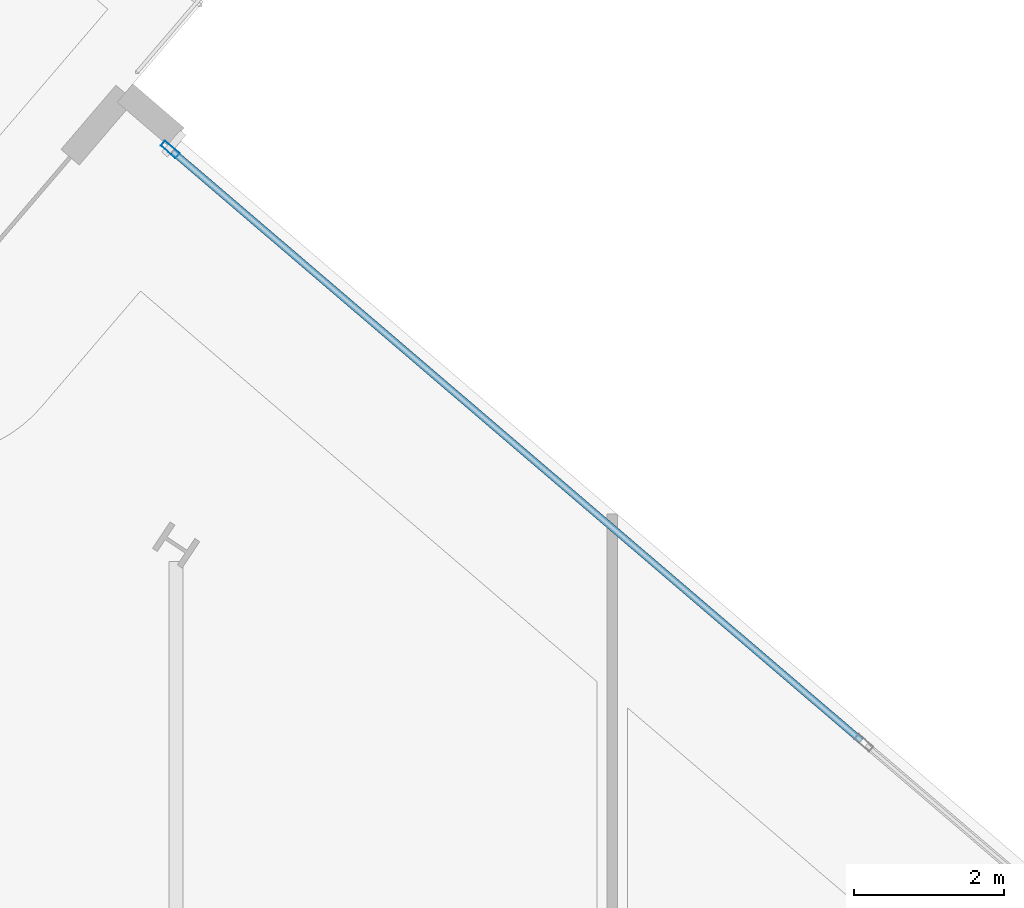
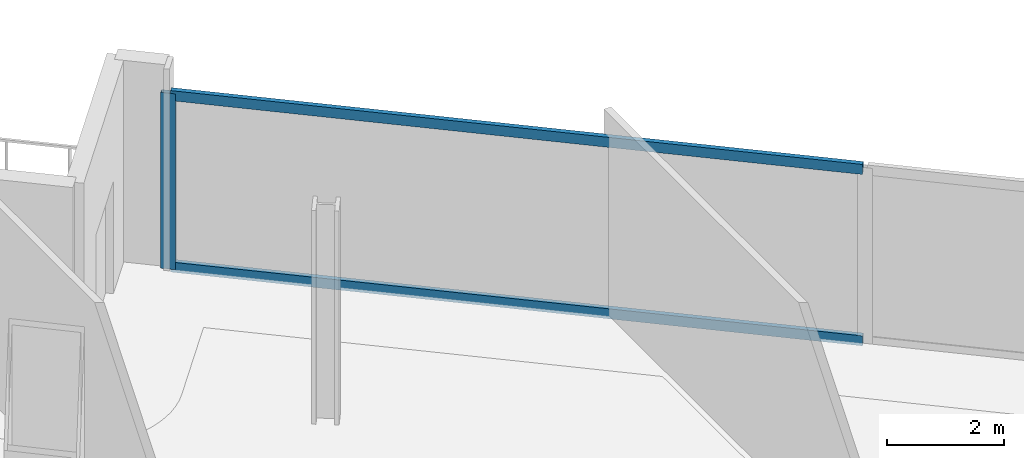
# One storey, part 16 of 26: 3 members, 1 element without a shape of its own.
"""IFC4 building model written with IfcOpenShell, lengths in metres."""

import ifcopenshell
import ifcopenshell.guid

model = None  # the IFC model being written
_history = None  # IfcOwnerHistory: only IFC2X3 demands one
_inside = {}  # id of a spatial element -> (the spatial element, [elements in it])
_under = {}  # id of a project, library or spatial element -> (it, [spatial elements below it])
_declared = {}  # id of a project -> (the project, [libraries it declares])
_typed = {}  # id of a type object -> (the type object, [elements of that type])
_made_of = {}  # id of a material, layer set ... -> (it, [elements and type objects made of it])


def new_model(schema):
    """Start an empty IFC model of exactly this schema.

    Asked for "IFC4X3", IfcOpenShell would pick the latest addendum, in which some entities
    have other attributes; the version numbers below select the first issue.
    IFC2X3 requires an IfcOwnerHistory on every rooted entity: one is made here for all.
    """
    global model, _history
    if schema == "IFC4X3":
        model = ifcopenshell.file(schema_version=(4, 3, 0, 0))
    else:
        model = ifcopenshell.file(schema=schema)
    _inside.clear()
    _under.clear()
    _declared.clear()
    _typed.clear()
    _made_of.clear()
    _history = None
    if model.schema == "IFC2X3":
        org = make("IfcOrganization", Name="unknown")
        user = make(
            "IfcPersonAndOrganization",
            ThePerson=make("IfcPerson", FamilyName="unknown"),
            TheOrganization=org,
        )
        app = make(
            "IfcApplication",
            ApplicationDeveloper=org,
            Version="unknown",
            ApplicationFullName="unknown",
            ApplicationIdentifier="unknown",
        )
        _history = make(
            "IfcOwnerHistory",
            OwningUser=user,
            OwningApplication=app,
            ChangeAction="ADDED",
            CreationDate=0,
        )
    return model


def make(cls, **values):
    """One entity of the class cls with the attributes given. An attribute that is None is left unset."""
    return model.create_entity(
        cls, **{name: value for name, value in values.items() if value is not None}
    )


def rooted(cls, **values):
    """An entity with a GlobalId (a new one), such as an element, a storey or a relation."""
    return make(cls, GlobalId=ifcopenshell.guid.new(), OwnerHistory=_history, **values)


def si_unit(unit_type, name, prefix=None):
    """IfcSIUnit, for example si_unit("LENGTHUNIT", "METRE", prefix="MILLI")."""
    return make("IfcSIUnit", UnitType=unit_type, Prefix=prefix, Name=name)


def assignment(units):
    """IfcUnitAssignment: the units of a project."""
    return None if units is None else make("IfcUnitAssignment", Units=units)


def point(xyz):
    """IfcCartesianPoint."""
    return None if xyz is None else make("IfcCartesianPoint", Coordinates=xyz)


def direction(xyz):
    """IfcDirection."""
    return None if xyz is None else make("IfcDirection", DirectionRatios=xyz)


def frame(location, z_axis=None, x_axis=None):
    """IfcAxis2Placement3D, a coordinate frame: its origin and axes. An axis left out is left unset."""
    return make(
        "IfcAxis2Placement3D",
        Location=point(location),
        Axis=direction(z_axis),
        RefDirection=direction(x_axis),
    )


def frame_2d(location, x_axis=None):
    """IfcAxis2Placement2D, a coordinate frame in the plane: its origin and x axis."""
    return make(
        "IfcAxis2Placement2D", Location=point(location), RefDirection=direction(x_axis)
    )


def origin():
    """The frame at (0, 0, 0) with its axes left unset."""
    return frame((0.0, 0.0, 0.0))


def origin_2d():
    """The frame at (0, 0) in the plane with its x axis left unset."""
    return frame_2d((0.0, 0.0))


def place(relative_to, where):
    """IfcLocalPlacement: puts the frame where relative to a parent placement (None: the world)."""
    return make(
        "IfcLocalPlacement", PlacementRelTo=relative_to, RelativePlacement=where
    )


def context(
    kind, dimensions, precision=None, world=None, true_north=None, identifier=None
):
    """IfcGeometricRepresentationContext, for example the 3D "Model" context."""
    return make(
        "IfcGeometricRepresentationContext",
        ContextIdentifier=identifier,
        ContextType=kind,
        CoordinateSpaceDimension=dimensions,
        Precision=precision,
        WorldCoordinateSystem=world,
        TrueNorth=true_north,
    )


def subcontext(parent, identifier, kind, view, scale=None):
    """IfcGeometricRepresentationSubContext, for example "Body" below "Model"."""
    return make(
        "IfcGeometricRepresentationSubContext",
        ContextIdentifier=identifier,
        ContextType=kind,
        ParentContext=parent,
        TargetScale=scale,
        TargetView=view,
    )


def project(units=None, contexts=None):
    """IfcProject with its units and contexts."""
    return rooted(
        "IfcProject",
        Name="project",
        RepresentationContexts=contexts,
        UnitsInContext=assignment(units),
    )


def spatial(cls, under=None, at=None, **own):
    """A site, building, storey or space (cls), placed at a placement, below another one or the project."""
    s = rooted(cls, ObjectPlacement=at, **own)
    if under is not None:
        _under.setdefault(under.id(), (under, []))[1].append(s)
    return s


def profile(cls, at=None, kind="AREA", **sizes):
    """A parametric profile (cls). Its sizes go by their IFC names, for example OverallWidth=200.0."""
    return make(cls, ProfileType=kind, Position=at, **sizes)


def hollow_rectangle(**sizes):
    """IfcRectangleHollowProfileDef."""
    return profile("IfcRectangleHollowProfileDef", **sizes)


def extrude(swept, where, along, depth):
    """IfcExtrudedAreaSolid: the profile swept, set in the frame where, extruded along a direction by depth."""
    return make(
        "IfcExtrudedAreaSolid",
        SweptArea=swept,
        Position=where,
        ExtrudedDirection=direction(along),
        Depth=depth,
    )


def shape(context_of_items, identifier, shape_type, items):
    """IfcShapeRepresentation: the items that make up one representation, for example the "Body"."""
    return make(
        "IfcShapeRepresentation",
        ContextOfItems=context_of_items,
        RepresentationIdentifier=identifier,
        RepresentationType=shape_type,
        Items=items,
    )


def material(Name=None, Category=None):
    """IfcMaterial."""
    return make("IfcMaterial", Name=Name, Category=Category)


def material_profile(
    of_material, cross_section, Name=None, Category=None, Priority=None
):
    """IfcMaterialProfile: a cross section and its material."""
    return make(
        "IfcMaterialProfile",
        Name=Name,
        Material=of_material,
        Profile=cross_section,
        Priority=Priority,
        Category=Category,
    )


def profile_set(profiles, Name=None, composite=None):
    """IfcMaterialProfileSet."""
    return make(
        "IfcMaterialProfileSet",
        Name=Name,
        MaterialProfiles=profiles,
        CompositeProfile=composite,
    )


def made_of(thing, what):
    """Note that an element or type object is made of a material, layer set ...; save() writes the relation."""
    if what is not None:
        _made_of.setdefault(what.id(), (what, []))[1].append(thing)
    return thing


def type_object(cls, material=None, **own):
    """A type object (cls), such as IfcWallType, which elements share."""
    return made_of(rooted(cls, **own), material)


def element(
    cls,
    number,
    at=None,
    inside=None,
    cuts=None,
    type_object=None,
    material=None,
    context=None,
    identifier="Body",
    shape_type=None,
    held_by="IfcProductDefinitionShape",
    body=None,
    shapes=None,
    **own,
):
    """One element of the class cls, such as IfcWall. Its Tag is "e" and its number.

    at: its placement. inside: the storey or other place that contains it. cuts: it is an
    opening in that element (IfcRelVoidsElement). A single representation is given by context,
    identifier, shape_type and body (its items); several are given by shapes. held_by: the class
    of the entity that holds the representations. save() writes the other relations.
    """
    e = rooted(cls, Tag="e%d" % number, ObjectPlacement=at, **own)
    if body is not None:
        shapes = [shape(context, identifier, shape_type, body)]
    if shapes is not None:
        e.Representation = make(held_by, Representations=shapes)
    if inside is not None:
        _inside.setdefault(inside.id(), (inside, []))[1].append(e)
    if cuts is not None:
        rooted(
            "IfcRelVoidsElement", RelatingBuildingElement=cuts, RelatedOpeningElement=e
        )
    if type_object is not None:
        _typed.setdefault(type_object.id(), (type_object, []))[1].append(e)
    return made_of(e, material)


def aggregate(whole, parts):
    """IfcRelAggregates: a whole, such as a stair, and the parts it consists of."""
    return rooted("IfcRelAggregates", RelatingObject=whole, RelatedObjects=parts)


def save(model, path):
    """Write the relations noted so far, then the file.

    IfcRelAggregates (storeys below a building ...), IfcRelContainedInSpatialStructure (elements
    in a storey), IfcRelDefinesByType, IfcRelAssociatesMaterial and IfcRelDeclares: one each for
    every whole, place, type object, material and project.
    """
    for whole, parts in _under.values():
        aggregate(whole, parts)
    for where, things in _inside.values():
        rooted(
            "IfcRelContainedInSpatialStructure",
            RelatedElements=things,
            RelatingStructure=where,
        )
    for kind, things in _typed.values():
        rooted("IfcRelDefinesByType", RelatedObjects=things, RelatingType=kind)
    for what, things in _made_of.values():
        rooted("IfcRelAssociatesMaterial", RelatedObjects=things, RelatingMaterial=what)
    for by, libraries in _declared.values():
        rooted("IfcRelDeclares", RelatingContext=by, RelatedDefinitions=libraries)
    model.write(path)


model = new_model("IFC4")

# Units and contexts
model_context = context("Model", 3, precision=1e-05, world=origin(), true_north=direction((0.0, 1.0)))
body_context = subcontext(model_context, "Body", "Model", "MODEL_VIEW")
ifc_project = project(units=[si_unit("LENGTHUNIT", "METRE"), si_unit("AREAUNIT", "SQUARE_METRE"), si_unit("VOLUMEUNIT", "CUBIC_METRE"), si_unit("PLANEANGLEUNIT", "RADIAN"), si_unit("MASSUNIT", "GRAM", prefix="KILO")], contexts=[model_context])

# Site, building, storey
site_placement = place(None, origin())
site = spatial("IfcSite", under=ifc_project, at=site_placement, CompositionType="ELEMENT")
building_placement = place(site_placement, origin())
building = spatial("IfcBuilding", under=site, at=building_placement, Name="Haldenkirk Collegiate Tower", CompositionType="ELEMENT")
storey_placement = place(building_placement, frame((0.0, 0.0, 193.949951171875)))
storey = spatial("IfcBuildingStorey", under=building, at=storey_placement, Name="L48", CompositionType="ELEMENT", Elevation=193.949951171875)

# Curtain wall, members
ifc_material = material(Name="Anodised architectural bronze aluminium", Category="aluminium")
curtain_wall_type = type_object("IfcCurtainWallType", Name="CW-SYS4-SKYGARDEN", PredefinedType="USERDEFINED", material=ifc_material)
curtain_wall_placement = place(storey_placement, origin())
curtain_wall = element("IfcCurtainWall", 1, at=curtain_wall_placement, inside=storey, type_object=curtain_wall_type, Name="L48 Sky-garden tall bronze curtain wall", ObjectType="UNITISED CURTAIN WALL", PredefinedType="USERDEFINED")
ifc_material_profile_1 = material_profile(ifc_material, hollow_rectangle(XDim=0.090087890625, YDim=0.260009765625, WallThickness=0.0048828125, at=origin_2d()), Name="CW-MUL-04")
ifc_profile_set_1 = profile_set([ifc_material_profile_1], Name="Anodised architectural bronze aluminium")
member_type_1 = type_object("IfcMemberType", Name="CW-MUL-04", PredefinedType="MULLION", material=ifc_profile_set_1)
member_1_placement = place(storey_placement, frame((38.11376953125, 55.93505859375, 0.0), z_axis=(0.0, 0.0, 1.0), x_axis=(0.650113163613, 0.759837400038, 0.0)))
member_1 = element("IfcMember", 2, at=member_1_placement, type_object=member_type_1, Name="CW-04 mullion 1", PredefinedType="MULLION", context=body_context, shape_type="SweptSolid", body=[
    extrude(hollow_rectangle(XDim=0.090087890625, YDim=0.260009765625, WallThickness=0.0048828125, at=origin_2d()), origin(), (0.0, 0.0, 1.0), 3.677978515625),
])
ifc_material_profile_2 = material_profile(ifc_material, hollow_rectangle(XDim=0.090087890625, YDim=0.2099609375, WallThickness=0.0048828125, at=origin_2d()), Name="CW-TRN-04")
ifc_profile_set_2 = profile_set([ifc_material_profile_2], Name="Anodised architectural bronze aluminium")
member_type_2 = type_object("IfcMemberType", Name="CW-TRN-04", PredefinedType="USERDEFINED", material=ifc_profile_set_2)
member_2_placement = place(storey_placement, frame((38.14794921875, 55.90576171875, 0.045166015625), z_axis=(0.759843361266, -0.650106196202, 0.0), x_axis=(0.650106196202, 0.759843361266, 0.0)))
member_2 = element("IfcMember", 3, at=member_2_placement, type_object=member_type_2, Name="CW-04 transom 1.1", ObjectType="TRANSOM", PredefinedType="USERDEFINED", context=body_context, shape_type="SweptSolid", body=[
    extrude(hollow_rectangle(XDim=0.090087890625, YDim=0.2099609375, WallThickness=0.0048828125, at=origin_2d()), origin(), (0.0, 0.0, 1.0), 12.06494140625),
])
member_3_placement = place(storey_placement, frame((38.14794921875, 55.90576171875, 3.633056640625), z_axis=(0.759843361266, -0.650106196202, 0.0), x_axis=(0.650106196202, 0.759843361266, 0.0)))
member_3 = element("IfcMember", 4, at=member_3_placement, type_object=member_type_2, Name="CW-04 transom 1.2", ObjectType="TRANSOM", PredefinedType="USERDEFINED", context=body_context, shape_type="SweptSolid", body=[
    extrude(hollow_rectangle(XDim=0.090087890625, YDim=0.2099609375, WallThickness=0.0048828125, at=origin_2d()), origin(), (0.0, 0.0, 1.0), 12.06494140625),
])
aggregate(curtain_wall, [member_1, member_2, member_3])

save(model, "model.ifc")
